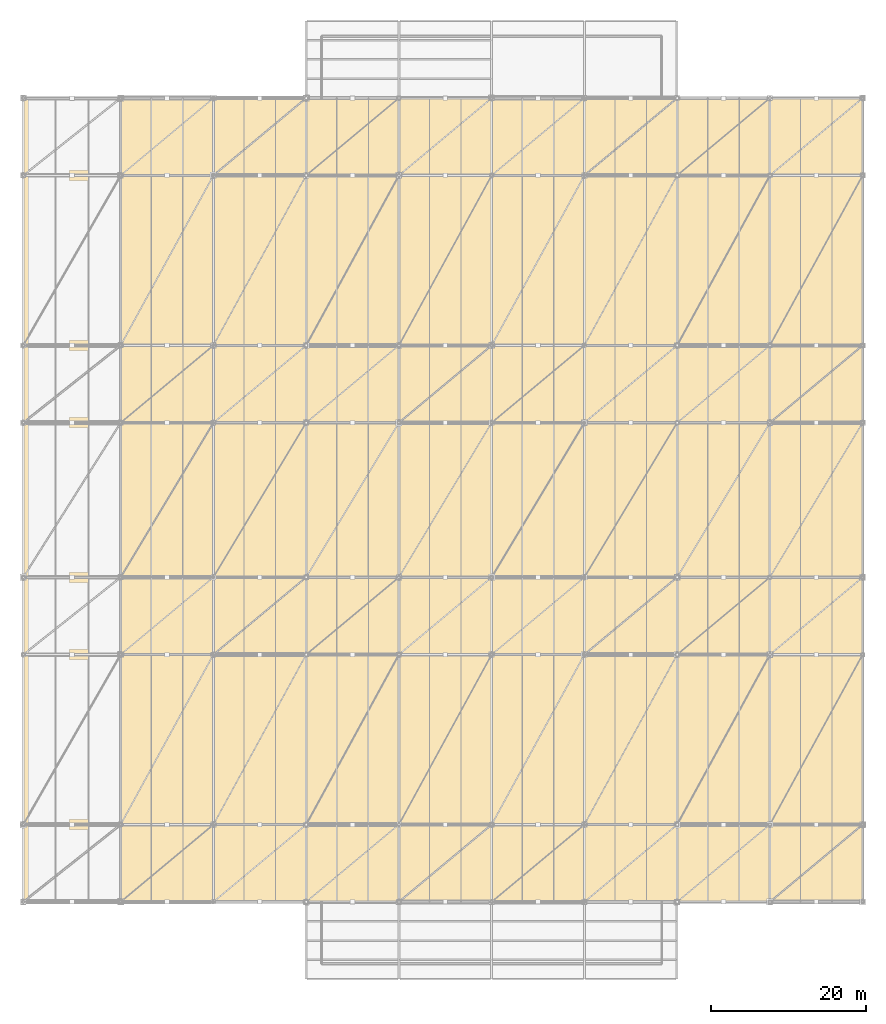
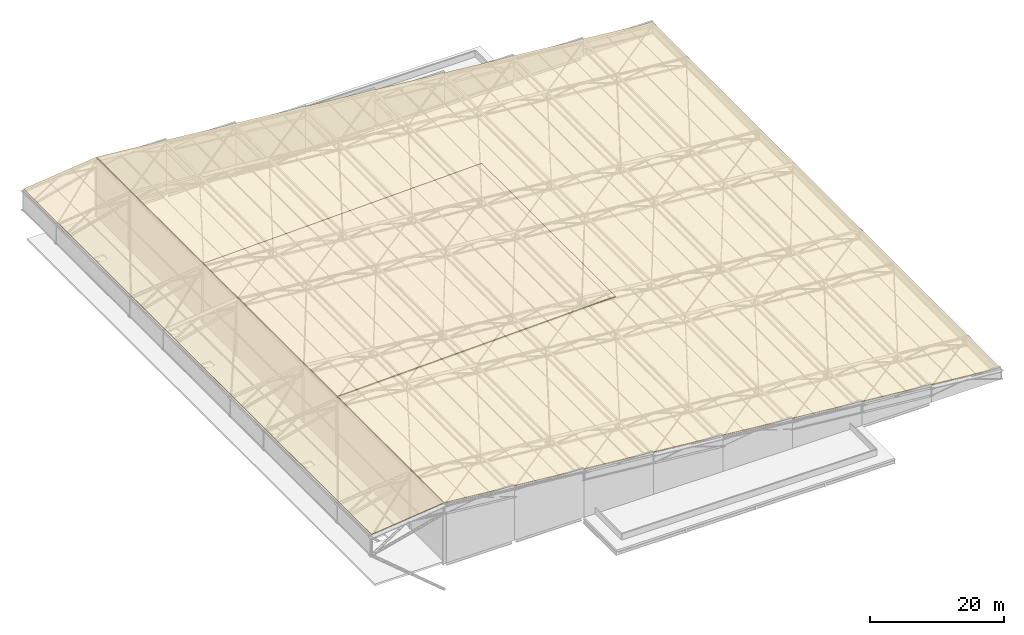
# One storey, part 44 of 44: 3 coverings, 1 element without a shape of its own.
"""IFC4 building model written with IfcOpenShell, lengths in metres."""

from ifc_helpers import new_model, si_unit, direction, frame, origin, place, context, subcontext, project, spatial, polyline, outline, extrude, material, layer, layer_set, type_object, element, aggregate, save


model = new_model("IFC4")

# Units and contexts
model_context = context("Model", 3, precision=1e-05, world=origin(), true_north=direction((0.0, 1.0)))
body_context = subcontext(model_context, "Body", "Model", "MODEL_VIEW")
ifc_project = project(units=[si_unit("LENGTHUNIT", "METRE"), si_unit("AREAUNIT", "SQUARE_METRE"), si_unit("VOLUMEUNIT", "CUBIC_METRE"), si_unit("PLANEANGLEUNIT", "RADIAN"), si_unit("MASSUNIT", "GRAM", prefix="KILO")], contexts=[model_context])

# Site, building, storey
site_placement = place(None, origin())
site = spatial("IfcSite", under=ifc_project, at=site_placement, CompositionType="ELEMENT")
building_placement = place(site_placement, origin())
building = spatial("IfcBuilding", under=site, at=building_placement, Name="Brinegate Civic Arena", CompositionType="ELEMENT")
storey_placement = place(building_placement, frame((0.0, 0.0, 29.39990234375)))
storey = spatial("IfcBuildingStorey", under=building, at=storey_placement, Name="RF", CompositionType="ELEMENT", Elevation=29.39990234375)

# Roof, coverings
ifc_material = material(Name="Standing-seam insulated aluminium roofing", Category="aluminium")
ifc_layer_1 = layer(ifc_material, 0.219970703125, Name="Standing-seam insulated aluminium roofing")
ifc_layer_set_1 = layer_set([ifc_layer_1], Name="Standing-seam insulated aluminium roofing")
roof_type = type_object("IfcRoofType", Name="ROOF-ASSY-ARENA", PredefinedType="FREEFORM", material=ifc_layer_set_1)
roof_placement = place(storey_placement, origin())
roof = element("IfcRoof", 1, at=roof_placement, inside=storey, type_object=roof_type, Name="Brinegate Arena Asymmetric Space Frame Roof", PredefinedType="FREEFORM")
ifc_layer_2 = layer(ifc_material, 0.1201171875, Name="Standing-seam insulated aluminium roofing")
ifc_layer_set_2 = layer_set([ifc_layer_2], Name="Standing-seam insulated aluminium roofing")
covering_type = type_object("IfcCoveringType", Name="ROOFING-ACOUSTIC-SEAM-120", PredefinedType="ROOFING", material=ifc_layer_set_2)
covering_1_placement = place(storey_placement, frame((60.0, 10.0, 11.025146484375), z_axis=(0.093340708693, 0.0, 0.995634226059), x_axis=(0.995634226059, 0.0, -0.093340708693)))
covering_1 = element("IfcCovering", 2, at=covering_1_placement, type_object=covering_type, Name="Standing Seam Roof Covering RFG-001", PredefinedType="ROOFING", context=body_context, shape_type="SweptSolid", body=[
    extrude(outline(polyline([(0.0, 0.0), (96.4209520799292, 0.0), (96.4209520799292, 104.0), (0.0, 104.0), (0.0, 0.0)])), origin(), (0.0, 0.0, -1.0), 0.1201171875),
])
covering_2_placement = place(storey_placement, frame((47.39990234375, 10.0, 9.625), z_axis=(-0.110407996042, 0.0, 0.99388634884), x_axis=(0.99388634884, 0.0, 0.110407996042)))
covering_2 = element("IfcCovering", 3, at=covering_2_placement, type_object=covering_type, Name="Standing Seam Roof Covering RFG-002", PredefinedType="ROOFING", context=body_context, shape_type="SweptSolid", body=[
    extrude(outline(polyline([(0.0, 0.0), (12.526779673586262, 0.0), (12.526779673586262, 104.0), (0.0, 104.0), (0.0, 0.0)])), origin(), (0.0, 0.0, -1.0), 0.1201171875),
])
covering_3_placement = place(storey_placement, frame((60.0, 42.0, 11.025146484375), z_axis=(-0.03019354369, 0.0, 0.999544071024), x_axis=(0.999544071024, 0.0, 0.03019354369)))
covering_3 = element("IfcCovering", 4, at=covering_3_placement, type_object=covering_type, Name="Standing Seam Roof Covering RFG-003", PredefinedType="ROOFING", context=body_context, shape_type="SweptSolid", body=[
    extrude(outline(polyline([(0.0, 0.0), (48.021894573213395, 0.0), (48.021894573213395, 40.0), (0.0, 40.0), (0.0, 0.0)])), origin(), (0.0, 0.0, -1.0), 0.1201171875),
])
aggregate(roof, [covering_1, covering_2, covering_3])

save(model, "model.ifc")
